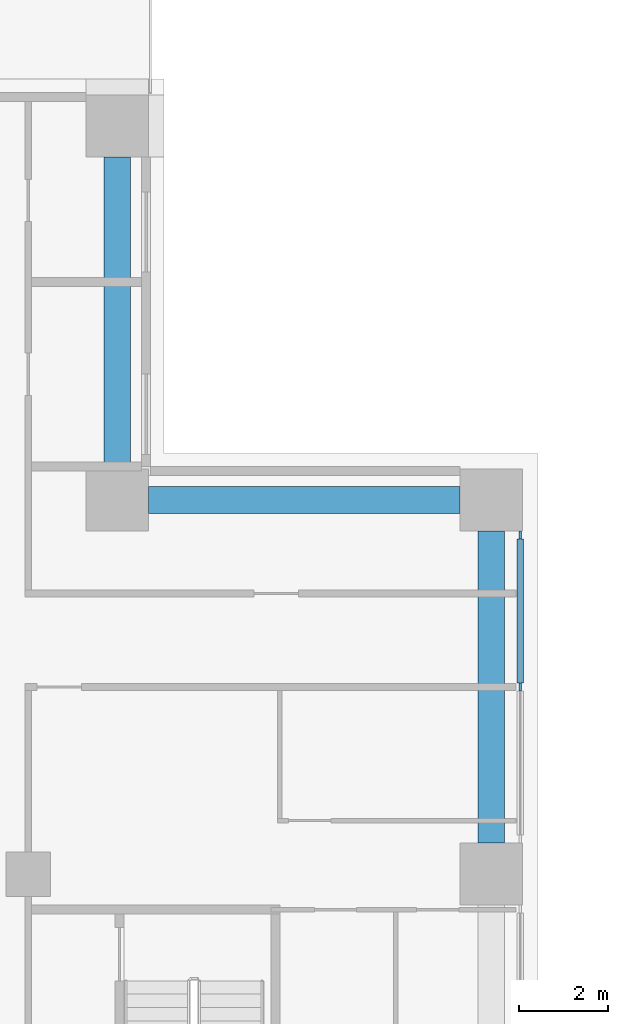
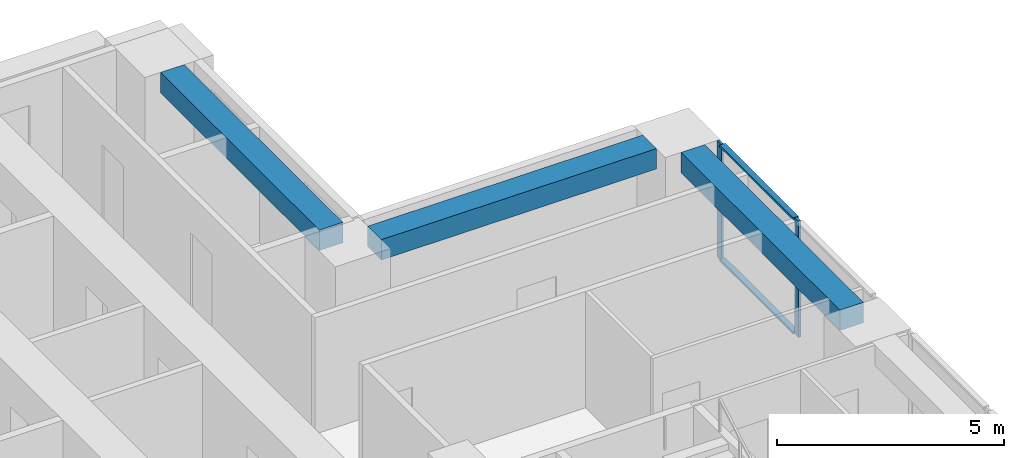
# One storey, part 6 of 17: 4 members, 3 beams, 1 element without a shape of its own.
"""IFC4 building model written with IfcOpenShell, lengths in metres."""

from ifc_helpers import new_model, si_unit, direction, frame, origin, origin_2d, place, context, subcontext, project, spatial, rectangle, extrude, material, material_profile, profile_set, type_object, element, aggregate, save


model = new_model("IFC4")

# Units and contexts
model_context = context("Model", 3, precision=1e-05, world=origin(), true_north=direction((0.0, 1.0)))
body_context = subcontext(model_context, "Body", "Model", "MODEL_VIEW")
ifc_project = project(units=[si_unit("LENGTHUNIT", "METRE"), si_unit("AREAUNIT", "SQUARE_METRE"), si_unit("VOLUMEUNIT", "CUBIC_METRE"), si_unit("PLANEANGLEUNIT", "RADIAN"), si_unit("MASSUNIT", "GRAM", prefix="KILO")], contexts=[model_context])

# Site, building, storey
site_placement = place(None, origin())
site = spatial("IfcSite", under=ifc_project, at=site_placement, CompositionType="ELEMENT")
building_placement = place(site_placement, origin())
building = spatial("IfcBuilding", under=site, at=building_placement, Name="Vermilion Ogive Tower", CompositionType="ELEMENT")
storey_placement = place(building_placement, frame((0.0, 0.0, 65.550048828125)))
storey = spatial("IfcBuildingStorey", under=building, at=storey_placement, Name="L15", CompositionType="ELEMENT", Elevation=65.550048828125)

# Curtain wall, members
ifc_material_1 = material(Name="Low-iron laminated glazing in aluminium frame", Category="aluminium")
curtain_wall_type = type_object("IfcCurtainWallType", Name="Curtain wall CW7", PredefinedType="NOTDEFINED", material=ifc_material_1)
curtain_wall_placement = place(storey_placement, origin())
curtain_wall = element("IfcCurtainWall", 1, at=curtain_wall_placement, inside=storey, type_object=curtain_wall_type, Name="Glazed skin E3", PredefinedType="NOTDEFINED")
ifc_material_2 = material(Name="Aluminium mullion", Category="aluminium")
ifc_material_profile_1 = material_profile(ifc_material_2, rectangle(XDim=0.06005859375, YDim=0.179931640625, at=origin_2d()), Name="AL 60x180")
ifc_profile_set_1 = profile_set([ifc_material_profile_1], Name="Aluminium mullion")
member_type_1 = type_object("IfcMemberType", Name="CW7 mullion 60x180", PredefinedType="MULLION", material=ifc_profile_set_1)
member_1_placement = place(storey_placement, frame((25.85009765625, 8.39990234375, 0.0), z_axis=(0.0, 0.0, 1.0), x_axis=(-1.0, 0.0, 0.0)))
member_1 = element("IfcMember", 2, at=member_1_placement, type_object=member_type_1, Name="CW7-E3 mullion 2", PredefinedType="MULLION", context=body_context, shape_type="SweptSolid", body=[
    extrude(rectangle(XDim=0.06005859375, YDim=0.179931640625, at=origin_2d()), origin(), (0.0, 0.0, 1.0), 3.1298828125),
])
member_2_placement = place(storey_placement, frame((25.85009765625, 11.81005859375, 0.0), z_axis=(0.0, 0.0, 1.0), x_axis=(-1.0, 0.0, 0.0)))
member_2 = element("IfcMember", 3, at=member_2_placement, type_object=member_type_1, Name="CW7-E3 mullion 3", PredefinedType="MULLION", context=body_context, shape_type="SweptSolid", body=[
    extrude(rectangle(XDim=0.06005859375, YDim=0.179931640625, at=origin_2d()), origin(), (0.0, 0.0, 1.0), 3.1298828125),
])
ifc_material_3 = material(Name="Aluminium transom", Category="aluminium")
ifc_material_profile_2 = material_profile(ifc_material_3, rectangle(XDim=0.139892578125, YDim=0.06005859375, at=origin_2d()), Name="AL 60x140")
ifc_profile_set_2 = profile_set([ifc_material_profile_2], Name="Aluminium transom")
member_type_2 = type_object("IfcMemberType", Name="CW7 transom 60x140", PredefinedType="USERDEFINED", material=ifc_profile_set_2)
member_3_placement = place(storey_placement, frame((25.85009765625, 8.489990234375, 0.030029296875), z_axis=(0.0, 1.0, 0.0), x_axis=(-1.0, 0.0, 0.0)))
member_3 = element("IfcMember", 4, at=member_3_placement, type_object=member_type_2, Name="CW7-E3 transom 2.1", ObjectType="TRANSOM", PredefinedType="USERDEFINED", context=body_context, shape_type="SweptSolid", body=[
    extrude(rectangle(XDim=0.139892578125, YDim=0.06005859375, at=origin_2d()), origin(), (0.0, 0.0, 1.0), 3.22998046875),
])
member_4_placement = place(storey_placement, frame((25.85009765625, 8.489990234375, 3.099853515625), z_axis=(0.0, 1.0, 0.0), x_axis=(-1.0, 0.0, 0.0)))
member_4 = element("IfcMember", 5, at=member_4_placement, type_object=member_type_2, Name="CW7-E3 transom 2.2", ObjectType="TRANSOM", PredefinedType="USERDEFINED", context=body_context, shape_type="SweptSolid", body=[
    extrude(rectangle(XDim=0.139892578125, YDim=0.06005859375, at=origin_2d()), origin(), (0.0, 0.0, 1.0), 3.22998046875),
])
aggregate(curtain_wall, [member_1, member_2, member_3, member_4])

# Beams
ifc_material_4 = material(Name="Concrete B45", Category="concrete")
ifc_material_profile_3 = material_profile(ifc_material_4, rectangle(XDim=0.60009765625, YDim=0.550048828125, at=origin_2d()), Name="600 x 550")
ifc_profile_set_3 = profile_set([ifc_material_profile_3], Name="Concrete B45")
beam_type = type_object("IfcBeamType", Name="Edge beam 600 x 550 B45", PredefinedType="BEAM", material=ifc_profile_set_3)
for number, where, z_axis, x_axis, name in (
    (6, (25.199951171875, 4.89990234375, 2.85498046875), (0.0, 1.0, 0.0), (-1.0, 0.0, 0.0), "L15-EB-9"),
    (7, (24.5, 12.60009765625, 2.85498046875), (-1.0, 0.0, 0.0), (0.0, -1.0, 0.0), "L15-EB-10"),
    (8, (16.800048828125, 13.300048828125, 2.85498046875), (0.0, 1.0, 0.0), (-1.0, 0.0, 0.0), "L15-EB-11"),
):
    element("IfcBeam", number, at=place(storey_placement, frame(where, z_axis=z_axis, x_axis=x_axis)), inside=storey, type_object=beam_type, Name=name, PredefinedType="BEAM", context=body_context, shape_type="SweptSolid", body=[
        extrude(rectangle(XDim=0.60009765625, YDim=0.550048828125, at=origin_2d()), origin(), (0.0, 0.0, 1.0), 7.0),
    ])

save(model, "model.ifc")
